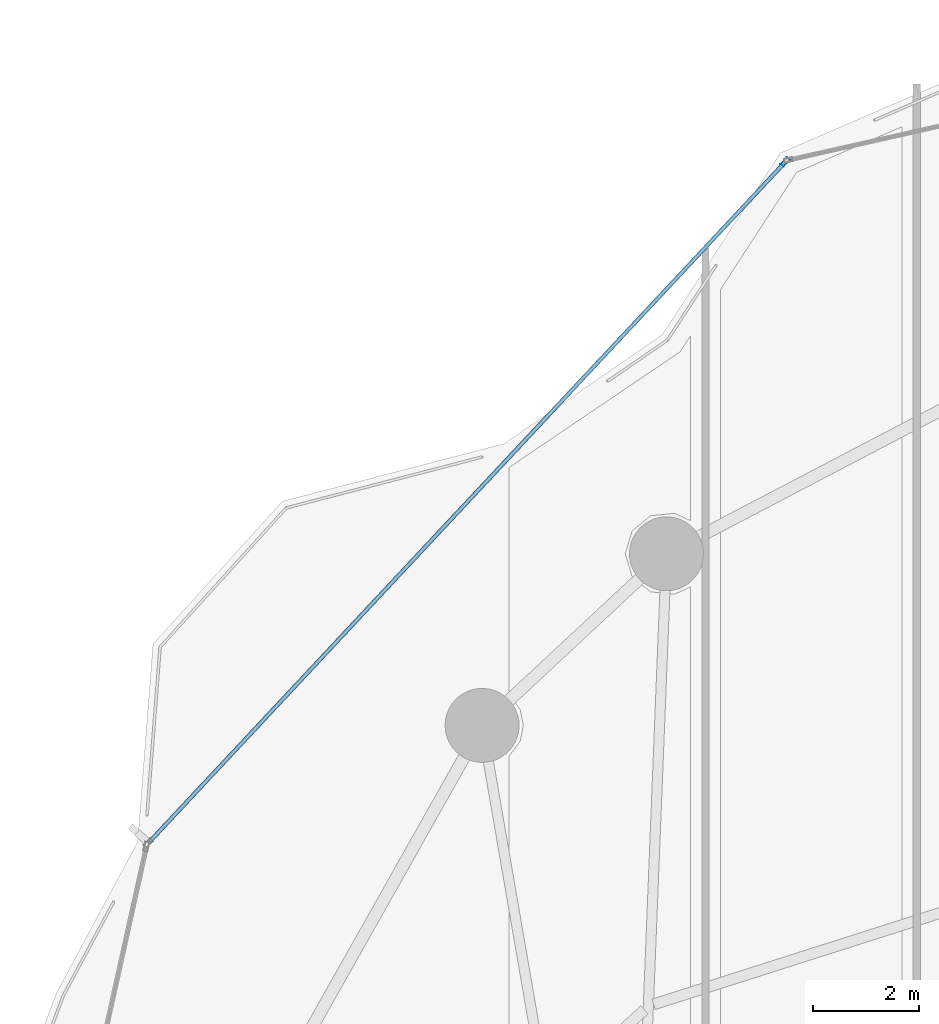
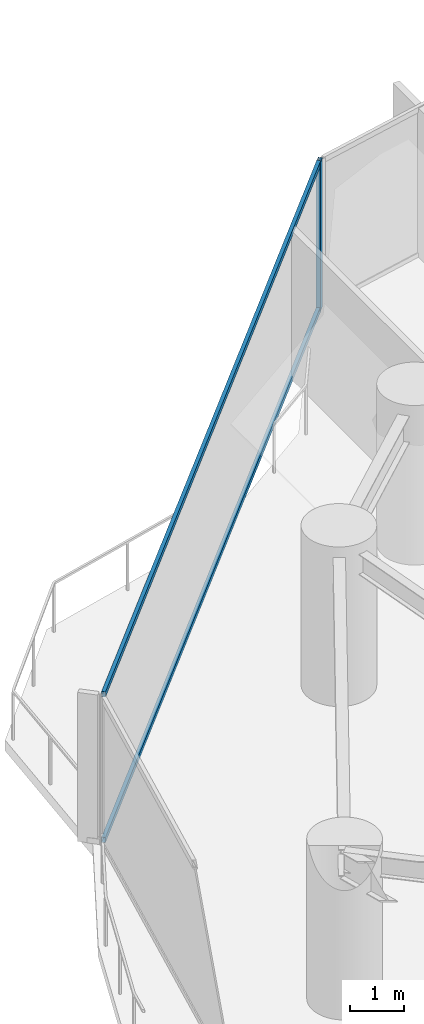
# One storey, part 16 of 33: 3 members, 1 element without a shape of its own.
"""IFC4 building model written with IfcOpenShell, lengths in metres."""

from ifc_helpers import new_model, si_unit, direction, frame, origin, origin_2d, place, context, subcontext, project, spatial, hollow_rectangle, extrude, material, layer, layer_set, material_profile, profile_set, type_object, element, aggregate, save


model = new_model("IFC4")

# Units and contexts
model_context = context("Model", 3, precision=1e-05, world=origin(), true_north=direction((0.0, 1.0)))
body_context = subcontext(model_context, "Body", "Model", "MODEL_VIEW")
ifc_project = project(units=[si_unit("LENGTHUNIT", "METRE"), si_unit("AREAUNIT", "SQUARE_METRE"), si_unit("VOLUMEUNIT", "CUBIC_METRE"), si_unit("PLANEANGLEUNIT", "RADIAN"), si_unit("MASSUNIT", "GRAM", prefix="KILO")], contexts=[model_context])

# Site, building, storey
site_placement = place(None, origin())
site = spatial("IfcSite", under=ifc_project, at=site_placement, CompositionType="ELEMENT")
building_placement = place(site_placement, origin())
building = spatial("IfcBuilding", under=site, at=building_placement, Name="Kazevale Care Tower and Concert Hall", CompositionType="ELEMENT")
storey_placement = place(building_placement, frame((0.0, 0.0, 31.199951171875)))
storey = spatial("IfcBuildingStorey", under=building, at=storey_placement, Name="L07", CompositionType="ELEMENT", Elevation=31.199951171875)

# Curtain wall, members
ifc_material_1 = material(Name="Aluminium 6063-T6 and Low-E Glass", Category="aluminium")
ifc_layer = layer(ifc_material_1, 0.179931640625)
ifc_layer_set = layer_set([ifc_layer], Name="Aluminium 6063-T6 and Low-E Glass")
curtain_wall_type = type_object("IfcCurtainWallType", Name="Convex Checkerboard Finned Curtain Wall CW-2", PredefinedType="NOTDEFINED", material=ifc_layer_set)
curtain_wall_placement = place(storey_placement, origin())
curtain_wall = element("IfcCurtainWall", 1, at=curtain_wall_placement, inside=storey, type_object=curtain_wall_type, Name="cw:L07:f14", PredefinedType="NOTDEFINED")
ifc_material_2 = material(Name="Aluminium 6063-T6", Category="aluminium")
ifc_material_profile_1 = material_profile(ifc_material_2, hollow_rectangle(XDim=0.080078125, YDim=0.179931640625, WallThickness=0.0048828125, at=origin_2d()), Name="ALU80x180x5")
ifc_profile_set_1 = profile_set([ifc_material_profile_1], Name="Aluminium 6063-T6")
member_type_1 = type_object("IfcMemberType", Name="CW-2 Mullion ALU80x180x5", PredefinedType="MULLION", material=ifc_profile_set_1)
member_1_placement = place(storey_placement, frame((25.009765625, 62.847900390625, 0.0), z_axis=(0.0, 0.0, 1.0), x_axis=(-0.730363049987, 0.683059159381, 0.0)))
member_1 = element("IfcMember", 2, at=member_1_placement, type_object=member_type_1, Name="CW-2 mullion 2", PredefinedType="MULLION", context=body_context, shape_type="SweptSolid", body=[
    extrude(hollow_rectangle(XDim=0.080078125, YDim=0.179931640625, WallThickness=0.0048828125, at=origin_2d()), origin(), (0.0, 0.0, 1.0), 3.360107421875),
])
ifc_material_profile_2 = material_profile(ifc_material_2, hollow_rectangle(XDim=0.074951171875, YDim=0.1201171875, WallThickness=0.00390625, at=origin_2d()), Name="ALU75x120x4")
ifc_profile_set_2 = profile_set([ifc_material_profile_2], Name="Aluminium 6063-T6")
member_type_2 = type_object("IfcMemberType", Name="CW-2 Transom ALU75x120x4", PredefinedType="USERDEFINED", material=ifc_profile_set_2)
member_2_placement = place(storey_placement, frame((12.9765625, 49.9814453125, 0.03759765625), z_axis=(0.68306321414, 0.730359257823, 0.0), x_axis=(-0.730359257823, 0.68306321414, 0.0)))
member_2 = element("IfcMember", 3, at=member_2_placement, type_object=member_type_2, Name="CW-2 transom 1.1", ObjectType="TRANSOM", PredefinedType="USERDEFINED", context=body_context, shape_type="SweptSolid", body=[
    extrude(hollow_rectangle(XDim=0.074951171875, YDim=0.1201171875, WallThickness=0.00390625, at=origin_2d()), origin(), (0.0, 0.0, 1.0), 17.576416015625),
])
member_3_placement = place(storey_placement, frame((12.9765625, 49.9814453125, 3.322509765625), z_axis=(0.68306321414, 0.730359257823, 0.0), x_axis=(-0.730359257823, 0.68306321414, 0.0)))
member_3 = element("IfcMember", 4, at=member_3_placement, type_object=member_type_2, Name="CW-2 transom 1.2", ObjectType="TRANSOM", PredefinedType="USERDEFINED", context=body_context, shape_type="SweptSolid", body=[
    extrude(hollow_rectangle(XDim=0.074951171875, YDim=0.1201171875, WallThickness=0.00390625, at=origin_2d()), origin(), (0.0, 0.0, 1.0), 17.576416015625),
])
aggregate(curtain_wall, [member_1, member_2, member_3])

save(model, "model.ifc")
